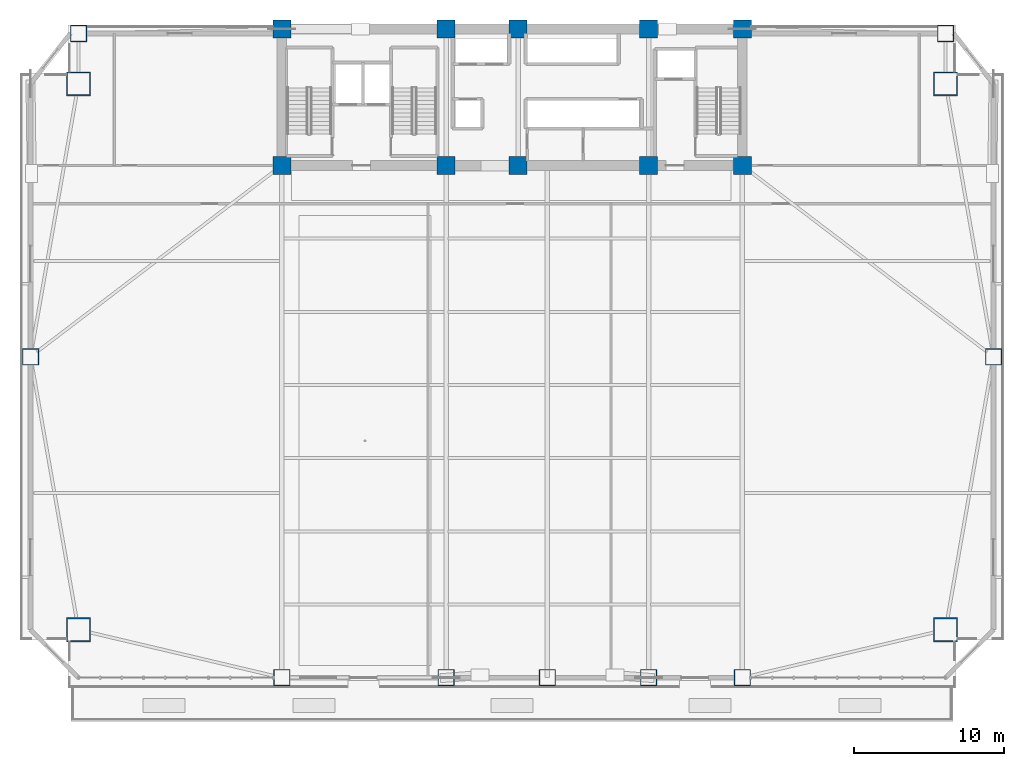
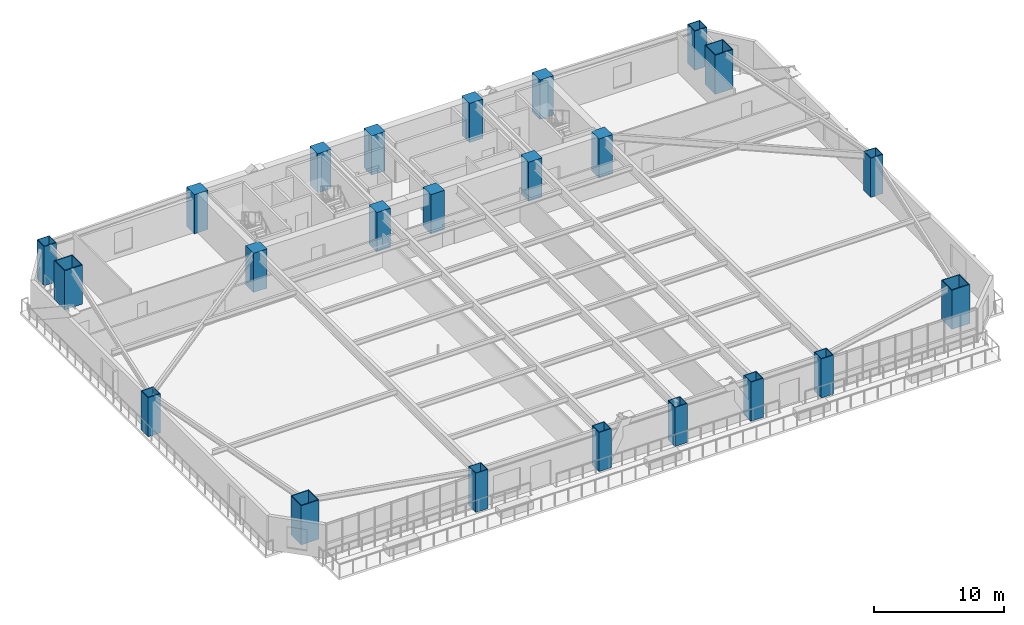
# One storey, part 1 of 17: 23 columns.
"""IFC4 building model written with IfcOpenShell, lengths in metres."""

from ifc_helpers import new_model, si_unit, direction, frame, origin, origin_2d, place, context, subcontext, project, spatial, rectangle, hollow_rectangle, extrude, source, transform, mapped, material, material_profile, profile_set, type_object, element, save


model = new_model("IFC4")

# Units and contexts
model_context = context("Model", 3, precision=1e-05, world=origin(), true_north=direction((0.0, 1.0)))
body_context = subcontext(model_context, "Body", "Model", "MODEL_VIEW")
ifc_project = project(units=[si_unit("LENGTHUNIT", "METRE"), si_unit("AREAUNIT", "SQUARE_METRE"), si_unit("VOLUMEUNIT", "CUBIC_METRE"), si_unit("PLANEANGLEUNIT", "RADIAN"), si_unit("MASSUNIT", "GRAM", prefix="KILO")], contexts=[model_context])

# Site, building, storey
site_placement = place(None, origin())
site = spatial("IfcSite", under=ifc_project, at=site_placement, CompositionType="ELEMENT")
building_placement = place(site_placement, origin())
building = spatial("IfcBuilding", under=site, at=building_placement, Name="Giltprow Tower", CompositionType="ELEMENT")
storey_placement = place(building_placement, frame((0.0, 0.0, 25.39990234375)))
storey = spatial("IfcBuildingStorey", under=building, at=storey_placement, Name="L06", CompositionType="ELEMENT", Elevation=25.39990234375)

# Columns
ifc_material_1 = material(Name="Concrete C60", Category="concrete")
ifc_material_profile_1 = material_profile(ifc_material_1, rectangle(XDim=1.199951171875, YDim=1.199951171875, at=origin_2d()), Name="RC 1200x1200")
ifc_profile_set_1 = profile_set([ifc_material_profile_1], Name="Concrete C60")
column_type_1 = type_object("IfcColumnType", Name="PIL-RC-1200-C60", PredefinedType="PILASTER", material=ifc_profile_set_1)
shared_shape_1 = source(origin(), body_context, "Body", "SweptSolid", [
    extrude(rectangle(XDim=1.199951171875, YDim=1.199951171875, at=origin_2d()), origin(), (0.0, 0.0, 1.0), 3.68017578125),
])
for number, where, z_axis, x_axis, name in (
    (1, (19.85009765625, 37.449951171875, 0.0), (0.0, 0.0, 1.0), (1.0, 0.0, 0.0), "L06 Core Boundary Pilaster 1-1"),
    (2, (19.85009765625, 46.550048828125, 0.0), (0.0, 0.0, 1.0), (1.0, 0.0, 0.0), "L06 Core Boundary Pilaster 1-2"),
    (3, (30.800048828125, 37.449951171875, 0.0), (0.0, 0.0, 1.0), (1.0, 0.0, 0.0), "L06 Core Boundary Pilaster 2-1"),
    (4, (30.800048828125, 46.550048828125, 0.0), (0.0, 0.0, 1.0), (1.0, 0.0, 0.0), "L06 Core Boundary Pilaster 2-2"),
    (5, (35.60009765625, 37.449951171875, 0.0), (0.0, 0.0, 1.0), (1.0, 0.0, 0.0), "L06 Core Boundary Pilaster 3-1"),
    (6, (35.60009765625, 46.550048828125, 0.0), (0.0, 0.0, 1.0), (1.0, 0.0, 0.0), "L06 Core Boundary Pilaster 3-2"),
    (7, (44.300048828125, 37.449951171875, 0.0), (0.0, 0.0, 1.0), (1.0, 0.0, 0.0), "L06 Core Boundary Pilaster 4-1"),
    (8, (44.300048828125, 46.550048828125, 0.0), (0.0, 0.0, 1.0), (1.0, 0.0, 0.0), "L06 Core Boundary Pilaster 4-2"),
    (9, (50.550048828125, 37.449951171875, 0.0), (0.0, 0.0, 1.0), (1.0, 0.0, 0.0), "L06 Core Boundary Pilaster 5-1"),
    (10, (50.550048828125, 46.550048828125, 0.0), (0.0, 0.0, 1.0), (1.0, 0.0, 0.0), "L06 Core Boundary Pilaster 5-2"),
):
    element("IfcColumn", number, at=place(storey_placement, frame(where, z_axis=z_axis, x_axis=x_axis)), inside=storey, type_object=column_type_1, Name=name, PredefinedType="PILASTER", context=body_context, shape_type="MappedRepresentation", body=[
        mapped(shared_shape_1, transform((0.0, 0.0, 0.0), x_axis=(1.0, 0.0, 0.0), y_axis=(0.0, 1.0, 0.0), z_axis=(0.0, 0.0, 1.0), scale=1.0)),
    ])
ifc_material_2 = material(Name="Structural steel Q420GJC", Category="steel")
ifc_material_profile_2 = material_profile(ifc_material_2, hollow_rectangle(XDim=1.60009765625, YDim=1.60009765625, WallThickness=0.074951171875, at=origin_2d()), Name="BOX 1600x1600x75")
ifc_profile_set_2 = profile_set([ifc_material_profile_2], Name="Structural steel Q420GJC")
column_type_2 = type_object("IfcColumnType", Name="COL-BOX-1600x1600x75", PredefinedType="COLUMN", material=ifc_profile_set_2)
shared_shape_2 = source(origin(), body_context, "Body", "SweptSolid", [
    extrude(hollow_rectangle(XDim=1.60009765625, YDim=1.60009765625, WallThickness=0.074951171875, at=origin_2d()), origin(), (0.0, 0.0, 1.0), 3.68017578125),
])
for number, where, z_axis, x_axis, name in (
    (11, (6.300048828125, 6.5, 0.0), (0.0, 0.0, 1.0), (1.0, 0.0, 0.0), "L06 Mega-Column MC_SW"),
    (12, (64.10009765625, 6.5, 0.0), (0.0, 0.0, 1.0), (1.0, 0.0, 0.0), "L06 Mega-Column MC_SE"),
    (13, (6.300048828125, 42.89990234375, 0.0), (0.0, 0.0, 1.0), (1.0, 0.0, 0.0), "L06 Mega-Column MC_NW"),
    (14, (64.10009765625, 42.89990234375, 0.0), (0.0, 0.0, 1.0), (1.0, 0.0, 0.0), "L06 Mega-Column MC_NE"),
):
    element("IfcColumn", number, at=place(storey_placement, frame(where, z_axis=z_axis, x_axis=x_axis)), inside=storey, type_object=column_type_2, Name=name, PredefinedType="COLUMN", context=body_context, shape_type="MappedRepresentation", body=[
        mapped(shared_shape_2, transform((0.0, 0.0, 0.0), x_axis=(1.0, 0.0, 0.0), y_axis=(0.0, 1.0, 0.0), z_axis=(0.0, 0.0, 1.0), scale=1.0)),
    ])
ifc_material_profile_3 = material_profile(ifc_material_2, hollow_rectangle(XDim=1.10009765625, YDim=1.10009765625, WallThickness=0.050048828125, at=origin_2d()), Name="BOX 1100x1100x50")
ifc_profile_set_3 = profile_set([ifc_material_profile_3], Name="Structural steel Q420GJC")
column_type_3 = type_object("IfcColumnType", Name="COL-BOX-1100x1100x50", PredefinedType="COLUMN", material=ifc_profile_set_3)
shared_shape_3 = source(origin(), body_context, "Body", "SweptSolid", [
    extrude(hollow_rectangle(XDim=1.10009765625, YDim=1.10009765625, WallThickness=0.050048828125, at=origin_2d()), origin(), (0.0, 0.0, 1.0), 3.68017578125),
])
for number, where, z_axis, x_axis, name in (
    (15, (19.85009765625, 3.300048828125, 0.0), (0.0, 0.0, 1.0), (1.0, 0.0, 0.0), "L06 Perimeter Column S1"),
    (16, (30.800048828125, 3.300048828125, 0.0), (0.0, 0.0, 1.0), (1.0, 0.0, 0.0), "L06 Perimeter Column S2"),
    (17, (37.550048828125, 3.300048828125, 0.0), (0.0, 0.0, 1.0), (1.0, 0.0, 0.0), "L06 Perimeter Column S_MID"),
    (18, (44.300048828125, 3.300048828125, 0.0), (0.0, 0.0, 1.0), (1.0, 0.0, 0.0), "L06 Perimeter Column S3"),
    (19, (50.550048828125, 3.300048828125, 0.0), (0.0, 0.0, 1.0), (1.0, 0.0, 0.0), "L06 Perimeter Column S4"),
    (20, (3.10009765625, 24.699951171875, 0.0), (0.0, 0.0, 1.0), (1.0, 0.0, 0.0), "L06 Perimeter Column W_MID"),
    (21, (67.300048828125, 24.699951171875, 0.0), (0.0, 0.0, 1.0), (1.0, 0.0, 0.0), "L06 Perimeter Column E_MID"),
    (22, (6.300048828125, 46.25, 0.0), (0.0, 0.0, 1.0), (1.0, 0.0, 0.0), "L06 Perimeter Column N_W"),
    (23, (64.10009765625, 46.25, 0.0), (0.0, 0.0, 1.0), (1.0, 0.0, 0.0), "L06 Perimeter Column N_E"),
):
    element("IfcColumn", number, at=place(storey_placement, frame(where, z_axis=z_axis, x_axis=x_axis)), inside=storey, type_object=column_type_3, Name=name, PredefinedType="COLUMN", context=body_context, shape_type="MappedRepresentation", body=[
        mapped(shared_shape_3, transform((0.0, 0.0, 0.0), x_axis=(1.0, 0.0, 0.0), y_axis=(0.0, 1.0, 0.0), z_axis=(0.0, 0.0, 1.0), scale=1.0)),
    ])

save(model, "model.ifc")
